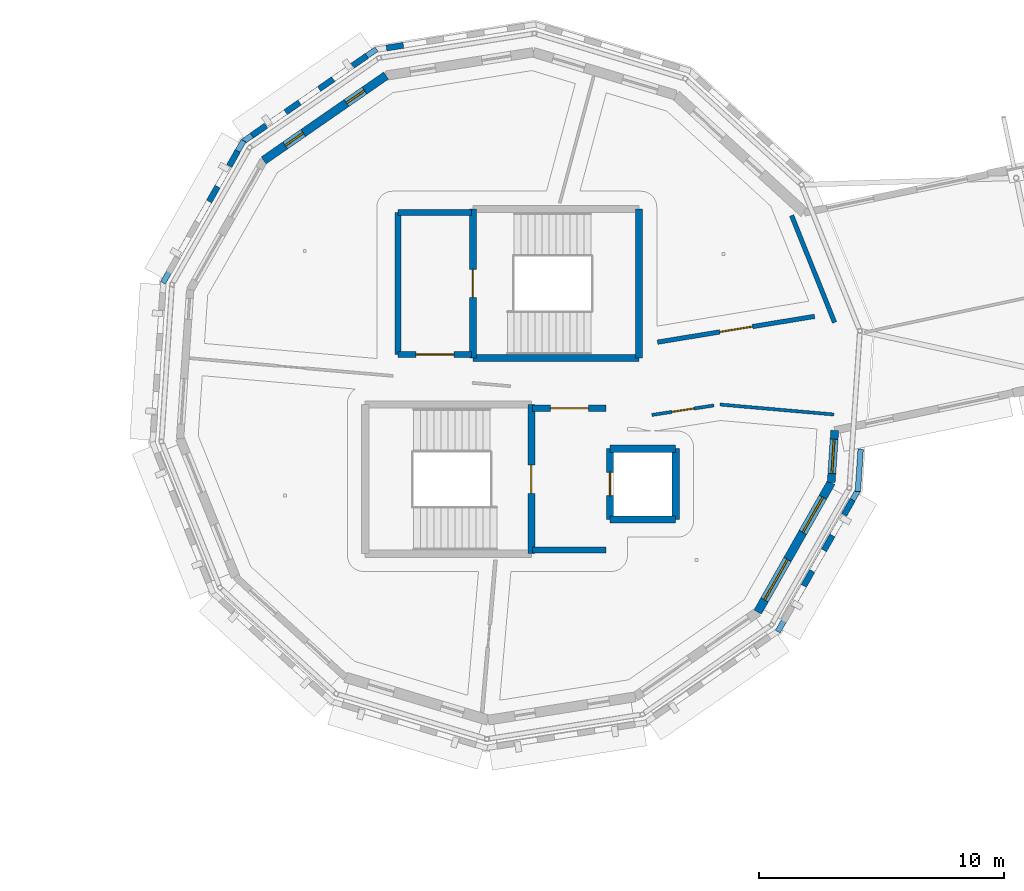
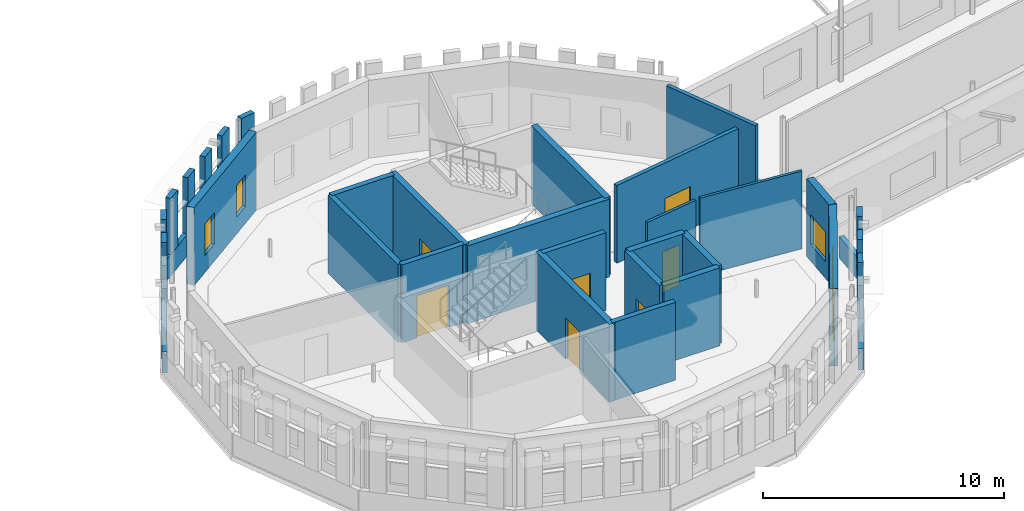
# One storey, part 42 of 68: 34 walls, 7 doors, 5 windows, 12 openings.
"""IFC4 building model written with IfcOpenShell, lengths in metres."""

from ifc_helpers import new_model, si_unit, direction, frame, frame_2d, origin, place, context, subcontext, project, spatial, rectangle, extrude, material, layer, layer_set, type_object, element, fill, save


model = new_model("IFC4")

# Units and contexts
model_context = context("Model", 3, precision=1e-05, world=origin(), true_north=direction((0.0, 1.0)))
body_context = subcontext(model_context, "Body", "Model", "MODEL_VIEW")
ifc_project = project(units=[si_unit("LENGTHUNIT", "METRE"), si_unit("AREAUNIT", "SQUARE_METRE"), si_unit("VOLUMEUNIT", "CUBIC_METRE"), si_unit("PLANEANGLEUNIT", "RADIAN"), si_unit("MASSUNIT", "GRAM", prefix="KILO")], contexts=[model_context])

# Site, building, storey
site_placement = place(None, origin())
site = spatial("IfcSite", under=ifc_project, at=site_placement, CompositionType="ELEMENT")
building_placement = place(site_placement, origin())
building = spatial("IfcBuilding", under=site, at=building_placement, Name="Wrenclough Park School", CompositionType="ELEMENT")
storey_placement = place(building_placement, frame((0.0, 0.0, 12.60009765625)))
storey = spatial("IfcBuildingStorey", under=building, at=storey_placement, Name="L03", CompositionType="ELEMENT", Elevation=12.60009765625)

# Walls
ifc_material_1 = material(Name="Perforated open-bond Staffordshire and Manchester brick screen pier", Category="masonry")
ifc_layer_1 = layer(ifc_material_1, 0.2451171875)
ifc_layer_set_1 = layer_set([ifc_layer_1], Name="Perforated open-bond Staffordshire and Manchester brick screen pier")
wall_type_1 = type_object("IfcWallType", Name="ENV-BS-PR245", PredefinedType="ELEMENTEDWALL", material=ifc_layer_set_1)
for number, where, z_axis, x_axis, name in (
    (1, (78.6142578125, 122.42919921875, 1.08984375), (0.0, 0.0, 1.0), (-0.987697931756, -0.156373896812, 0.0), "D4 L03 perforated brick screen pier 0810"),
    (2, (77.120361328125, 121.998046875, 1.08984375), (0.0, 0.0, 1.0), (-0.822004061083, -0.569481627064, 0.0), "D4 L03 perforated brick screen pier 0811"),
    (3, (75.748291015625, 121.047607421875, 1.08984375), (0.0, 0.0, 1.0), (-0.822004061083, -0.569481627064, 0.0), "D4 L03 perforated brick screen pier 0812"),
):
    element("IfcWall", number, at=place(storey_placement, frame(where, z_axis=z_axis, x_axis=x_axis)), inside=storey, type_object=wall_type_1, Name=name, PredefinedType="ELEMENTEDWALL", context=body_context, shape_type="SweptSolid", body=[
        extrude(rectangle(XDim=0.700927734375, YDim=0.2451171875, at=frame_2d((0.3505859375, 0.0))), origin(), (0.0, 0.0, 1.0), 2.85009765625),
    ])
wall_1_placement = place(storey_placement, frame((74.376708984375, 120.097412109375, 1.08984375), z_axis=(0.0, 0.0, 1.0), x_axis=(-0.821953993254, -0.569553889438, 0.0)))
element("IfcWall", 4, at=wall_1_placement, inside=storey, type_object=wall_type_1, Name="D4 L03 perforated brick screen pier 0813", PredefinedType="ELEMENTEDWALL", context=body_context, shape_type="SweptSolid", body=[
    extrude(rectangle(XDim=0.701171875, YDim=0.2451171875, at=frame_2d((0.3505859375, 0.0))), origin(), (0.0, 0.0, 1.0), 2.85009765625),
])
for number, where, z_axis, x_axis, name in (
    (5, (73.004638671875, 119.14697265625, 1.08984375), (0.0, 0.0, 1.0), (-0.822004061083, -0.569481627064, 0.0), "D4 L03 perforated brick screen pier 0814"),
    (6, (71.845947265625, 118.1103515625, 1.08984375), (0.0, 0.0, 1.0), (-0.493548557981, -0.869718242257, 0.0), "D4 L03 perforated brick screen pier 0815"),
    (7, (71.022216796875, 116.658935546875, 1.08984375), (0.0, 0.0, 1.0), (-0.49328502852, -0.869867737439, 0.0), "D4 L03 perforated brick screen pier 0816"),
    (8, (94.977783203125, 100.341064453125, 1.08984375), (0.0, 0.0, 1.0), (0.49328502852, 0.869867737439, 0.0), "D4 L03 perforated brick screen pier 0844"),
    (9, (95.80126953125, 101.792724609375, 1.08984375), (0.0, 0.0, 1.0), (0.493548557981, 0.869718242257, 0.0), "D4 L03 perforated brick screen pier 0845"),
):
    element("IfcWall", number, at=place(storey_placement, frame(where, z_axis=z_axis, x_axis=x_axis)), inside=storey, type_object=wall_type_1, Name=name, PredefinedType="ELEMENTEDWALL", context=body_context, shape_type="SweptSolid", body=[
        extrude(rectangle(XDim=0.700927734375, YDim=0.2451171875, at=frame_2d((0.3505859375, 0.0))), origin(), (0.0, 0.0, 1.0), 2.85009765625),
    ])
wall_2_placement = place(storey_placement, frame((96.625, 103.244140625, 1.08984375), z_axis=(0.0, 0.0, 1.0), x_axis=(0.49339908657, 0.869803047461, 0.0)))
element("IfcWall", 10, at=wall_2_placement, inside=storey, type_object=wall_type_1, Name="D4 L03 perforated brick screen pier 0846", PredefinedType="ELEMENTEDWALL", context=body_context, shape_type="SweptSolid", body=[
    extrude(rectangle(XDim=0.701171875, YDim=0.2451171875, at=frame_2d((0.3505859375, 0.0))), origin(), (0.0, 0.0, 1.0), 2.85009765625),
])
ifc_material_2 = material(Name="Open-bond Manchester multi-stock brick spandrel screen", Category="masonry")
ifc_layer_2 = layer(ifc_material_2, 0.22509765625)
ifc_layer_set_2 = layer_set([ifc_layer_2], Name="Open-bond Manchester multi-stock brick spandrel screen")
wall_type_2 = type_object("IfcWallType", Name="ENV-BS-SP225", PredefinedType="ELEMENTEDWALL", material=ifc_layer_set_2)
wall_3_placement = place(storey_placement, frame((77.51806640625, 122.273681640625, 0.0), z_axis=(0.0, 0.0, 1.0), x_axis=(-0.822009139105, -0.56947429725, 0.0)))
element("IfcWall", 11, at=wall_3_placement, inside=storey, type_object=wall_type_2, Name="D4 L03 open-bond brick screen spandrel 0217", PredefinedType="ELEMENTEDWALL", context=body_context, shape_type="SweptSolid", body=[
    extrude(rectangle(XDim=6.675537109375, YDim=0.22509765625, at=frame_2d((3.337890625, 0.0))), origin(), (0.0, 0.0, 1.0), 1.08984375),
])
for number, where, z_axis, x_axis, name in (
    (12, (72.084716796875, 118.53125, 0.0), (0.0, 0.0, 1.0), (-0.493497861667, -0.869747009498, 0.0), "D4 L03 open-bond brick screen spandrel 0218"),
    (13, (93.915283203125, 98.46875, 0.0), (0.0, 0.0, 1.0), (0.493497861667, 0.869747009498, 0.0), "D4 L03 open-bond brick screen spandrel 0225"),
):
    element("IfcWall", number, at=place(storey_placement, frame(where, z_axis=z_axis, x_axis=x_axis)), inside=storey, type_object=wall_type_2, Name=name, PredefinedType="ELEMENTEDWALL", context=body_context, shape_type="SweptSolid", body=[
        extrude(rectangle(XDim=6.67578125, YDim=0.22509765625, at=frame_2d((3.337890625, 0.0))), origin(), (0.0, 0.0, 1.0), 1.08984375),
    ])
wall_4_placement = place(storey_placement, frame((97.186767578125, 104.197998046875, 0.0), z_axis=(0.0, 0.0, 1.0), x_axis=(0.067258320943, 0.997735595368, 0.0)))
element("IfcWall", 14, at=wall_4_placement, inside=storey, type_object=wall_type_2, Name="D4 L03 open-bond brick screen spandrel 0226", PredefinedType="ELEMENTEDWALL", context=body_context, shape_type="SweptSolid", body=[
    extrude(rectangle(XDim=1.7314453125, YDim=0.22509765625, at=frame_2d((0.86572265625, 0.0))), origin(), (0.0, 0.0, 1.0), 1.08984375),
])

# Wall, opening, window
ifc_material_3 = material(Name="Manchester multi-stock brick and Concrete C32/40 inner leaf", Category="masonry")
ifc_layer_3 = layer(ifc_material_3, 0.324951171875)
ifc_layer_set_3 = layer_set([ifc_layer_3], Name="Manchester multi-stock brick and Concrete C32/40 inner leaf")
wall_type_3 = type_object("IfcWallType", Name="ENV-EW-325", PredefinedType="SOLIDWALL", material=ifc_layer_set_3)
wall_5_placement = place(storey_placement, frame((96.24267578125, 106.694580078125, 0.0), z_axis=(0.0, 0.0, 1.0), x_axis=(-0.067309145793, -0.997732167915, 0.0)))
wall_5 = element("IfcWall", 15, at=wall_5_placement, inside=storey, type_object=wall_type_3, Name="L03 insulated brick external wall 0265", PredefinedType="SOLIDWALL", context=body_context, shape_type="SweptSolid", body=[
    extrude(rectangle(XDim=2.1328125, YDim=0.324951171875, at=frame_2d((1.06640625, 0.0))), origin(), (0.0, 0.0, 1.0), 3.93994140625),
])
opening_1_placement = place(wall_5_placement, frame((0.366455078125, 0.0, 0.85009765625)))
opening_1 = element("IfcOpeningElement", 16, at=opening_1_placement, cuts=wall_5, Name="Opening WN-51", PredefinedType="OPENING", context=body_context, shape_type="SweptSolid", body=[
    extrude(rectangle(XDim=1.39990234375, YDim=1.5, at=frame_2d((0.699951171875, 0.75))), frame((0.0, 0.17236328125, 0.0), z_axis=(0.0, -1.0, 0.0), x_axis=(1.0, 0.0, 0.0)), (0.0, 0.0, 1.0), 0.344970703125),
])
ifc_material_4 = material(Name="Thermally broken aluminium and double-glazed low-e glass", Category="aluminium")
window_type_1 = type_object("IfcWindowType", Name="ENV-WN-51", PartitioningType="SINGLE_PANEL", PredefinedType="WINDOW", material=ifc_material_4)
window_1_placement = place(opening_1_placement, origin())
window_1 = element("IfcWindow", 17, at=window_1_placement, inside=storey, type_object=window_type_1, Name="L03 scheduled facade window 0442", OverallHeight=1.5, OverallWidth=1.39990234375, PartitioningType="SINGLE_PANEL", PredefinedType="WINDOW", context=body_context, shape_type="SweptSolid", body=[
    extrude(rectangle(XDim=1.39990234375, YDim=1.5, at=frame_2d((0.699951171875, 0.75))), frame((0.0, 0.030029296875, 0.0), z_axis=(0.0, -1.0, 0.0), x_axis=(1.0, 0.0, 0.0)), (0.0, 0.0, 1.0), 0.06005859375),
])
fill(opening_1, window_1)

# Wall, openings, windows
ifc_material_5 = material(Name="Staffordshire blue-grey brick and Concrete C35/45 inner leaf", Category="masonry")
ifc_layer_4 = layer(ifc_material_5, 0.35009765625)
ifc_layer_set_4 = layer_set([ifc_layer_4], Name="Staffordshire blue-grey brick and Concrete C35/45 inner leaf")
wall_type_4 = type_object("IfcWallType", Name="ENV-EW-350", PredefinedType="SOLIDWALL", material=ifc_layer_set_4)
wall_6_placement = place(storey_placement, frame((96.09912109375, 104.566650390625, 0.0), z_axis=(0.0, 0.0, 1.0), x_axis=(-0.49349318979, -0.869749660322, 0.0)))
wall_6 = element("IfcWall", 18, at=wall_6_placement, inside=storey, type_object=wall_type_4, Name="L03 insulated brick external wall 0266", PredefinedType="SOLIDWALL", context=body_context, shape_type="SweptSolid", body=[
    extrude(rectangle(XDim=6.0869140625, YDim=0.35009765625, at=frame_2d((3.04345703125, 0.0))), origin(), (0.0, 0.0, 1.0), 3.93994140625),
])
opening_2_placement = place(wall_6_placement, frame((0.69677734375, 0.0, 0.85009765625)))
opening_2 = element("IfcOpeningElement", 19, at=opening_2_placement, cuts=wall_6, Name="Opening WN-52", PredefinedType="OPENING", context=body_context, shape_type="SweptSolid", body=[
    extrude(rectangle(XDim=1.64990234375, YDim=1.5, at=frame_2d((0.824951171875, 0.75))), frame((0.0, 0.18505859375, 0.0), z_axis=(0.0, -1.0, 0.0), x_axis=(1.0, 0.0, 0.0)), (0.0, 0.0, 1.0), 0.3701171875),
])
opening_3_placement = place(wall_6_placement, frame((3.615234375, 0.0, 0.85009765625)))
opening_3 = element("IfcOpeningElement", 20, at=opening_3_placement, cuts=wall_6, Name="Opening WN-53", PredefinedType="OPENING", context=body_context, shape_type="SweptSolid", body=[
    extrude(rectangle(XDim=1.89990234375, YDim=1.5, at=frame_2d((0.949951171875, 0.75))), frame((0.0, 0.18505859375, 0.0), z_axis=(0.0, -1.0, 0.0), x_axis=(1.0, 0.0, 0.0)), (0.0, 0.0, 1.0), 0.3701171875),
])
window_type_2 = type_object("IfcWindowType", Name="ENV-WN-52", PartitioningType="DOUBLE_PANEL_VERTICAL", PredefinedType="WINDOW", material=ifc_material_4)
window_2_placement = place(opening_2_placement, origin())
window_2 = element("IfcWindow", 21, at=window_2_placement, inside=storey, type_object=window_type_2, Name="L03 scheduled facade window 0443", OverallHeight=1.5, OverallWidth=1.64990234375, PartitioningType="SINGLE_PANEL", PredefinedType="WINDOW", context=body_context, shape_type="SweptSolid", body=[
    extrude(rectangle(XDim=1.64990234375, YDim=1.5, at=frame_2d((0.824951171875, 0.75))), frame((0.0, 0.030029296875, 0.0), z_axis=(0.0, -1.0, 0.0), x_axis=(1.0, 0.0, 0.0)), (0.0, 0.0, 1.0), 0.06005859375),
])
fill(opening_2, window_2)
window_type_3 = type_object("IfcWindowType", Name="ENV-WN-53", PartitioningType="DOUBLE_PANEL_VERTICAL", PredefinedType="WINDOW", material=ifc_material_4)
window_3_placement = place(opening_3_placement, origin())
window_3 = element("IfcWindow", 22, at=window_3_placement, inside=storey, type_object=window_type_3, Name="L03 scheduled facade window 0444", OverallHeight=1.5, OverallWidth=1.89990234375, PartitioningType="SINGLE_PANEL", PredefinedType="WINDOW", context=body_context, shape_type="SweptSolid", body=[
    extrude(rectangle(XDim=1.89990234375, YDim=1.5, at=frame_2d((0.949951171875, 0.75))), frame((0.0, 0.030029296875, 0.0), z_axis=(0.0, -1.0, 0.0), x_axis=(1.0, 0.0, 0.0)), (0.0, 0.0, 1.0), 0.06005859375),
])
fill(opening_3, window_3)

wall_7_placement = place(storey_placement, frame((72.90478515625, 117.7275390625, 0.0), z_axis=(0.0, 0.0, 1.0), x_axis=(0.821994314634, 0.569495695075, 0.0)))
wall_7 = element("IfcWall", 23, at=wall_7_placement, inside=storey, type_object=wall_type_4, Name="L03 insulated brick external wall 0274", PredefinedType="SOLIDWALL", context=body_context, shape_type="SweptSolid", body=[
    extrude(rectangle(XDim=6.086669921875, YDim=0.35009765625, at=frame_2d((3.04345703125, 0.0))), origin(), (0.0, 0.0, 1.0), 3.93994140625),
])
opening_4_placement = place(wall_7_placement, frame((1.071533203125, 0.0, 0.85009765625)))
opening_4 = element("IfcOpeningElement", 24, at=opening_4_placement, cuts=wall_7, Name="Opening WN-13", PredefinedType="OPENING", context=body_context, shape_type="SweptSolid", body=[
    extrude(rectangle(XDim=0.89990234375, YDim=1.60009765625, at=frame_2d((0.449951171875, 0.800048828125))), frame((0.0, 0.18505859375, 0.0), z_axis=(0.0, -1.0, 0.0), x_axis=(1.0, 0.0, 0.0)), (0.0, 0.0, 1.0), 0.3701171875),
])
opening_5_placement = place(wall_7_placement, frame((4.114990234375, 0.0, 0.85009765625)))
opening_5 = element("IfcOpeningElement", 25, at=opening_5_placement, cuts=wall_7, Name="Opening WN-13", PredefinedType="OPENING", context=body_context, shape_type="SweptSolid", body=[
    extrude(rectangle(XDim=0.89990234375, YDim=1.60009765625, at=frame_2d((0.449951171875, 0.800048828125))), frame((0.0, 0.18505859375, 0.0), z_axis=(0.0, -1.0, 0.0), x_axis=(1.0, 0.0, 0.0)), (0.0, 0.0, 1.0), 0.3701171875),
])
window_type_4 = type_object("IfcWindowType", Name="ENV-WN-13", PartitioningType="SINGLE_PANEL", PredefinedType="WINDOW", material=ifc_material_4)
window_4_placement = place(opening_4_placement, origin())
window_4 = element("IfcWindow", 26, at=window_4_placement, inside=storey, type_object=window_type_4, Name="L03 scheduled facade window 0459", OverallHeight=1.60009765625, OverallWidth=0.89990234375, PartitioningType="SINGLE_PANEL", PredefinedType="WINDOW", context=body_context, shape_type="SweptSolid", body=[
    extrude(rectangle(XDim=0.89990234375, YDim=1.60009765625, at=frame_2d((0.449951171875, 0.800048828125))), frame((0.0, 0.030029296875, 0.0), z_axis=(0.0, -1.0, 0.0), x_axis=(1.0, 0.0, 0.0)), (0.0, 0.0, 1.0), 0.06005859375),
])
fill(opening_4, window_4)
window_5_placement = place(opening_5_placement, origin())
window_5 = element("IfcWindow", 27, at=window_5_placement, inside=storey, type_object=window_type_4, Name="L03 scheduled facade window 0460", OverallHeight=1.60009765625, OverallWidth=0.89990234375, PartitioningType="SINGLE_PANEL", PredefinedType="WINDOW", context=body_context, shape_type="SweptSolid", body=[
    extrude(rectangle(XDim=0.89990234375, YDim=1.60009765625, at=frame_2d((0.449951171875, 0.800048828125))), frame((0.0, 0.030029296875, 0.0), z_axis=(0.0, -1.0, 0.0), x_axis=(1.0, 0.0, 0.0)), (0.0, 0.0, 1.0), 0.06005859375),
])
fill(opening_5, window_5)

# Wall
ifc_material_6 = material(Name="Concrete C35/45", Category="concrete")
ifc_layer_5 = layer(ifc_material_6, 0.25)
ifc_layer_set_5 = layer_set([ifc_layer_5], Name="Concrete C35/45")
wall_type_5 = type_object("IfcWallType", Name="INT-CW-250", PredefinedType="SHEAR", material=ifc_layer_set_5)
wall_8_placement = place(storey_placement, frame((83.89990234375, 101.800048828125, 0.0), z_axis=(0.0, 0.0, 1.0), x_axis=(1.0, 0.0, 0.0)))
element("IfcWall", 28, at=wall_8_placement, inside=storey, type_object=wall_type_5, Name="Core C4 L03 lobby fire wall south", PredefinedType="SHEAR", context=body_context, shape_type="SweptSolid", body=[
    extrude(rectangle(XDim=3.0, YDim=0.25, at=frame_2d((1.5, 0.0))), origin(), (0.0, 0.0, 1.0), 3.949951171875),
])

# Wall, opening, door
wall_9_placement = place(storey_placement, frame((86.89990234375, 107.60009765625, 0.0), z_axis=(0.0, 0.0, 1.0), x_axis=(-1.0, 0.0, 0.0)))
wall_9 = element("IfcWall", 29, at=wall_9_placement, inside=storey, type_object=wall_type_5, Name="Core C4 L03 lobby fire wall north", PredefinedType="SHEAR", context=body_context, shape_type="SweptSolid", body=[
    extrude(rectangle(XDim=3.0, YDim=0.25, at=frame_2d((1.5, 0.0))), origin(), (0.0, 0.0, 1.0), 3.949951171875),
])
opening_6_placement = place(wall_9_placement, frame((0.72509765625, 0.0, 0.0)))
opening_6 = element("IfcOpeningElement", 30, at=opening_6_placement, cuts=wall_9, Name="Opening DLB-C4-L03", PredefinedType="OPENING", context=body_context, shape_type="SweptSolid", body=[
    extrude(rectangle(XDim=1.550048828125, YDim=2.14990234375, at=frame_2d((0.77490234375, 1.074951171875))), frame((0.0, 0.135009765625, 0.0), z_axis=(0.0, -1.0, 0.0), x_axis=(1.0, 0.0, 0.0)), (0.0, 0.0, 1.0), 0.27001953125),
])
ifc_material_7 = material(Name="Protected stair lobby double fire door assembly", Category="wood")
door_type_1 = type_object("IfcDoorType", Name="INT-DR-LB155", OperationType="NOTDEFINED", PredefinedType="DOOR", material=ifc_material_7)
door_1_placement = place(opening_6_placement, origin())
door_1 = element("IfcDoor", 31, at=door_1_placement, inside=storey, type_object=door_type_1, Name="Core C4 L03 protected lobby fire door", OperationType="DOUBLE_DOOR_SINGLE_SWING", OverallHeight=2.14990234375, OverallWidth=1.550048828125, PredefinedType="DOOR", context=body_context, shape_type="SweptSolid", body=[
    extrude(rectangle(XDim=1.550048828125, YDim=2.14990234375, at=frame_2d((0.77490234375, 1.074951171875))), frame((0.0, 0.02490234375, 0.0), z_axis=(0.0, -1.0, 0.0), x_axis=(1.0, 0.0, 0.0)), (0.0, 0.0, 1.0), 0.050048828125),
])
fill(opening_6, door_1)

wall_10_placement = place(storey_placement, frame((78.39990234375, 109.800048828125, 0.0), z_axis=(0.0, 0.0, 1.0), x_axis=(1.0, 0.0, 0.0)))
wall_10 = element("IfcWall", 32, at=wall_10_placement, inside=storey, type_object=wall_type_5, Name="Core C4B L03 lobby fire wall south", PredefinedType="SHEAR", context=body_context, shape_type="SweptSolid", body=[
    extrude(rectangle(XDim=3.0, YDim=0.25, at=frame_2d((1.5, 0.0))), origin(), (0.0, 0.0, 1.0), 3.949951171875),
])
opening_7_placement = place(wall_10_placement, frame((0.72509765625, 0.0, 0.0)))
opening_7 = element("IfcOpeningElement", 33, at=opening_7_placement, cuts=wall_10, Name="Opening DLB-C4B-L03", PredefinedType="OPENING", context=body_context, shape_type="SweptSolid", body=[
    extrude(rectangle(XDim=1.550048828125, YDim=2.14990234375, at=frame_2d((0.77490234375, 1.074951171875))), frame((0.0, 0.135009765625, 0.0), z_axis=(0.0, -1.0, 0.0), x_axis=(1.0, 0.0, 0.0)), (0.0, 0.0, 1.0), 0.27001953125),
])
door_2_placement = place(opening_7_placement, origin())
door_2 = element("IfcDoor", 34, at=door_2_placement, inside=storey, type_object=door_type_1, Name="Core C4B L03 protected lobby fire door", OperationType="DOUBLE_DOOR_SINGLE_SWING", OverallHeight=2.14990234375, OverallWidth=1.550048828125, PredefinedType="DOOR", context=body_context, shape_type="SweptSolid", body=[
    extrude(rectangle(XDim=1.550048828125, YDim=2.14990234375, at=frame_2d((0.77490234375, 1.074951171875))), frame((0.0, 0.02490234375, 0.0), z_axis=(0.0, -1.0, 0.0), x_axis=(1.0, 0.0, 0.0)), (0.0, 0.0, 1.0), 0.050048828125),
])
fill(opening_7, door_2)

# Walls
wall_11_placement = place(storey_placement, frame((81.39990234375, 115.60009765625, 0.0), z_axis=(0.0, 0.0, 1.0), x_axis=(-1.0, 0.0, 0.0)))
element("IfcWall", 35, at=wall_11_placement, inside=storey, type_object=wall_type_5, Name="Core C4B L03 lobby fire wall north", PredefinedType="SHEAR", context=body_context, shape_type="SweptSolid", body=[
    extrude(rectangle(XDim=3.0, YDim=0.25, at=frame_2d((1.5, 0.0))), origin(), (0.0, 0.0, 1.0), 3.949951171875),
])
wall_12_placement = place(storey_placement, frame((78.39990234375, 115.60009765625, 0.0), z_axis=(0.0, 0.0, 1.0), x_axis=(0.0, -1.0, 0.0)))
element("IfcWall", 36, at=wall_12_placement, inside=storey, type_object=wall_type_5, Name="Core C4B L03 lobby fire wall west", PredefinedType="SHEAR", context=body_context, shape_type="SweptSolid", body=[
    extrude(rectangle(XDim=5.800048828125, YDim=0.25, at=frame_2d((2.89990234375, 0.0))), origin(), (0.0, 0.0, 1.0), 3.949951171875),
])

# Wall, opening, door
ifc_material_8 = material(Name="Concrete C40/50", Category="concrete")
ifc_layer_6 = layer(ifc_material_8, 0.2900390625)
ifc_layer_set_6 = layer_set([ifc_layer_6], Name="Concrete C40/50")
wall_type_6 = type_object("IfcWallType", Name="INT-CW-290", PredefinedType="SHEAR", material=ifc_layer_set_6)
wall_13_placement = place(storey_placement, frame((83.844970703125, 101.655029296875, 0.0), z_axis=(0.0, 0.0, 1.0), x_axis=(0.0, 1.0, 0.0)))
wall_13 = element("IfcWall", 37, at=wall_13_placement, inside=storey, type_object=wall_type_6, Name="Core C4 L03 east shear wall", PredefinedType="SHEAR", context=body_context, shape_type="SweptSolid", body=[
    extrude(rectangle(XDim=6.090087890625, YDim=0.2900390625, at=frame_2d((3.044921875, 0.0))), origin(), (0.0, 0.0, 1.0), 3.949951171875),
])
opening_8_placement = place(wall_13_placement, frame((2.469970703125, 0.0, 0.0)))
opening_8 = element("IfcOpeningElement", 38, at=opening_8_placement, cuts=wall_13, Name="Opening DST-C4-L03", PredefinedType="OPENING", context=body_context, shape_type="SweptSolid", body=[
    extrude(rectangle(XDim=1.14990234375, YDim=2.10009765625, at=frame_2d((0.574951171875, 1.050048828125))), frame((0.0, 0.155029296875, 0.0), z_axis=(0.0, -1.0, 0.0), x_axis=(1.0, 0.0, 0.0)), (0.0, 0.0, 1.0), 0.31005859375),
])
ifc_material_9 = material(Name="Protected escape stair single fire door assembly", Category="wood")
door_type_2 = type_object("IfcDoorType", Name="INT-DR-ST115", OperationType="NOTDEFINED", PredefinedType="DOOR", material=ifc_material_9)
door_3_placement = place(opening_8_placement, origin())
door_3 = element("IfcDoor", 39, at=door_3_placement, inside=storey, type_object=door_type_2, Name="Stair ST-04 L03 fire door", OperationType="SINGLE_SWING_RIGHT", OverallHeight=2.10009765625, OverallWidth=1.14990234375, PredefinedType="DOOR", context=body_context, shape_type="SweptSolid", body=[
    extrude(rectangle(XDim=1.14990234375, YDim=2.10009765625, at=frame_2d((0.574951171875, 1.050048828125))), frame((0.0, 0.02490234375, 0.0), z_axis=(0.0, -1.0, 0.0), x_axis=(1.0, 0.0, 0.0)), (0.0, 0.0, 1.0), 0.050048828125),
])
fill(opening_8, door_3)

# Walls
wall_14_placement = place(storey_placement, frame((87.054931640625, 103.054931640625, 0.0), z_axis=(0.0, 0.0, 1.0), x_axis=(1.0, 0.0, 0.0)))
element("IfcWall", 40, at=wall_14_placement, inside=storey, type_object=wall_type_6, Name="Lift LFT-06 L03 south shaft wall", PredefinedType="SHEAR", context=body_context, shape_type="SweptSolid", body=[
    extrude(rectangle(XDim=2.690185546875, YDim=0.2900390625, at=frame_2d((1.34521484375, 0.0))), origin(), (0.0, 0.0, 1.0), 3.949951171875),
])
wall_15_placement = place(storey_placement, frame((89.7451171875, 103.054931640625, 0.0), z_axis=(0.0, 0.0, 1.0), x_axis=(0.0, 1.0, 0.0)))
element("IfcWall", 41, at=wall_15_placement, inside=storey, type_object=wall_type_6, Name="Lift LFT-06 L03 east shaft wall", PredefinedType="SHEAR", context=body_context, shape_type="SweptSolid", body=[
    extrude(rectangle(XDim=2.89013671875, YDim=0.2900390625, at=frame_2d((1.445068359375, 0.0))), origin(), (0.0, 0.0, 1.0), 3.949951171875),
])
wall_16_placement = place(storey_placement, frame((89.7451171875, 105.945068359375, 0.0), z_axis=(0.0, 0.0, 1.0), x_axis=(-1.0, 0.0, 0.0)))
element("IfcWall", 42, at=wall_16_placement, inside=storey, type_object=wall_type_6, Name="Lift LFT-06 L03 north shaft wall", PredefinedType="SHEAR", context=body_context, shape_type="SweptSolid", body=[
    extrude(rectangle(XDim=2.690185546875, YDim=0.2900390625, at=frame_2d((1.34521484375, 0.0))), origin(), (0.0, 0.0, 1.0), 3.949951171875),
])

# Wall, opening, door
wall_17_placement = place(storey_placement, frame((87.054931640625, 105.945068359375, 0.0), z_axis=(0.0, 0.0, 1.0), x_axis=(0.0, -1.0, 0.0)))
wall_17 = element("IfcWall", 43, at=wall_17_placement, inside=storey, type_object=wall_type_6, Name="Lift LFT-06 L03 west shaft wall", PredefinedType="SHEAR", context=body_context, shape_type="SweptSolid", body=[
    extrude(rectangle(XDim=2.89013671875, YDim=0.2900390625, at=frame_2d((1.445068359375, 0.0))), origin(), (0.0, 0.0, 1.0), 3.949951171875),
])
opening_9_placement = place(wall_17_placement, frame((0.969970703125, 0.0, 0.0)))
opening_9 = element("IfcOpeningElement", 44, at=opening_9_placement, cuts=wall_17, Name="Opening LD-06-L03", PredefinedType="OPENING", context=body_context, shape_type="SweptSolid", body=[
    extrude(rectangle(XDim=0.949951171875, YDim=2.10009765625, at=frame_2d((0.47509765625, 1.050048828125))), frame((0.0, 0.155029296875, 0.0), z_axis=(0.0, -1.0, 0.0), x_axis=(1.0, 0.0, 0.0)), (0.0, 0.0, 1.0), 0.31005859375),
])
ifc_material_10 = material(Name="Brushed stainless steel", Category="steel")
door_type_3 = type_object("IfcDoorType", Name="INT-DR-LD095", OperationType="NOTDEFINED", PredefinedType="DOOR", material=ifc_material_10)
door_4_placement = place(opening_9_placement, frame((0.949951171875, 0.0, 0.0), z_axis=(0.0, 0.0, 1.0), x_axis=(-1.0, 0.0, 0.0)))
door_4 = element("IfcDoor", 45, at=door_4_placement, inside=storey, type_object=door_type_3, Name="Lift LFT-06 L03 sliding landing door", OperationType="SLIDING_TO_LEFT", OverallHeight=2.10009765625, OverallWidth=0.949951171875, PredefinedType="DOOR", context=body_context, shape_type="SweptSolid", body=[
    extrude(rectangle(XDim=0.949951171875, YDim=2.10009765625, at=frame_2d((0.47509765625, 1.050048828125))), frame((0.0, 0.02490234375, 0.0), z_axis=(0.0, -1.0, 0.0), x_axis=(1.0, 0.0, 0.0)), (0.0, 0.0, 1.0), 0.050048828125),
])
fill(opening_9, door_4)

# Walls
wall_18_placement = place(storey_placement, frame((81.455078125, 109.655029296875, 0.0), z_axis=(0.0, 0.0, 1.0), x_axis=(1.0, 0.0, 0.0)))
element("IfcWall", 46, at=wall_18_placement, inside=storey, type_object=wall_type_6, Name="Core C4B L03 south shear wall", PredefinedType="SHEAR", context=body_context, shape_type="SweptSolid", body=[
    extrude(rectangle(XDim=6.7900390625, YDim=0.2900390625, at=frame_2d((3.39501953125, 0.0))), origin(), (0.0, 0.0, 1.0), 3.949951171875),
])
wall_19_placement = place(storey_placement, frame((88.2451171875, 109.655029296875, 0.0), z_axis=(0.0, 0.0, 1.0), x_axis=(0.0, 1.0, 0.0)))
element("IfcWall", 47, at=wall_19_placement, inside=storey, type_object=wall_type_6, Name="Core C4B L03 east shear wall", PredefinedType="SHEAR", context=body_context, shape_type="SweptSolid", body=[
    extrude(rectangle(XDim=6.090087890625, YDim=0.2900390625, at=frame_2d((3.044921875, 0.0))), origin(), (0.0, 0.0, 1.0), 3.949951171875),
])

# Wall, opening, door
wall_20_placement = place(storey_placement, frame((81.455078125, 115.7451171875, 0.0), z_axis=(0.0, 0.0, 1.0), x_axis=(0.0, -1.0, 0.0)))
wall_20 = element("IfcWall", 48, at=wall_20_placement, inside=storey, type_object=wall_type_6, Name="Core C4B L03 west shear wall", PredefinedType="SHEAR", context=body_context, shape_type="SweptSolid", body=[
    extrude(rectangle(XDim=6.090087890625, YDim=0.2900390625, at=frame_2d((3.044921875, 0.0))), origin(), (0.0, 0.0, 1.0), 3.949951171875),
])
opening_10_placement = place(wall_20_placement, frame((2.469970703125, 0.0, 0.0)))
opening_10 = element("IfcOpeningElement", 49, at=opening_10_placement, cuts=wall_20, Name="Opening DST-C4B-L03", PredefinedType="OPENING", context=body_context, shape_type="SweptSolid", body=[
    extrude(rectangle(XDim=1.14990234375, YDim=2.10009765625, at=frame_2d((0.574951171875, 1.050048828125))), frame((0.0, 0.155029296875, 0.0), z_axis=(0.0, -1.0, 0.0), x_axis=(1.0, 0.0, 0.0)), (0.0, 0.0, 1.0), 0.31005859375),
])
door_5_placement = place(opening_10_placement, origin())
door_5 = element("IfcDoor", 50, at=door_5_placement, inside=storey, type_object=door_type_2, Name="Stair ST-08 L03 fire door", OperationType="SINGLE_SWING_RIGHT", OverallHeight=2.10009765625, OverallWidth=1.14990234375, PredefinedType="DOOR", context=body_context, shape_type="SweptSolid", body=[
    extrude(rectangle(XDim=1.14990234375, YDim=2.10009765625, at=frame_2d((0.574951171875, 1.050048828125))), frame((0.0, 0.02490234375, 0.0), z_axis=(0.0, -1.0, 0.0), x_axis=(1.0, 0.0, 0.0)), (0.0, 0.0, 1.0), 0.050048828125),
])
fill(opening_10, door_5)

# Wall
ifc_material_11 = material(Name="Standard fire-rated room partition", Category="gypsum")
ifc_layer_7 = layer(ifc_material_11, 0.1298828125)
ifc_layer_set_7 = layer_set([ifc_layer_7], Name="Standard fire-rated room partition")
wall_type_7 = type_object("IfcWallType", Name="INT-PW-130", PredefinedType="PARTITIONING", material=ifc_layer_set_7)
wall_21_placement = place(storey_placement, frame((96.206298828125, 107.344482421875, 0.0), z_axis=(0.0, 0.0, 1.0), x_axis=(-0.996193377134, 0.087170840051, 0.0)))
element("IfcWall", 51, at=wall_21_placement, inside=storey, type_object=wall_type_7, Name="L03 internal partition 0476", PredefinedType="PARTITIONING", context=body_context, shape_type="SweptSolid", body=[
    extrude(rectangle(XDim=4.671630859375, YDim=0.1298828125, at=frame_2d((2.3359375, 0.0))), origin(), (0.0, 0.0, 1.0), 3.93994140625),
])

# Wall, opening, door
wall_22_placement = place(storey_placement, frame((91.305908203125, 107.7138671875, 0.0), z_axis=(0.0, 0.0, 1.0), x_axis=(-0.988481340726, -0.151342786539, 0.0)))
wall_22 = element("IfcWall", 52, at=wall_22_placement, inside=storey, type_object=wall_type_7, Name="L03 internal partition 0477", PredefinedType="PARTITIONING", context=body_context, shape_type="SweptSolid", body=[
    extrude(rectangle(XDim=2.568115234375, YDim=0.1298828125, at=frame_2d((1.2841796875, 0.0))), origin(), (0.0, 0.0, 1.0), 3.93994140625),
])
opening_11_placement = place(wall_22_placement, frame((0.833984375, 0.0, 0.0)))
opening_11 = element("IfcOpeningElement", 53, at=opening_11_placement, cuts=wall_22, Name="Opening DR-L03-097", PredefinedType="OPENING", context=body_context, shape_type="SweptSolid", body=[
    extrude(rectangle(XDim=0.89990234375, YDim=2.050048828125, at=frame_2d((0.449951171875, 1.02490234375))), frame((0.0, 0.074951171875, 0.0), z_axis=(0.0, -1.0, 0.0), x_axis=(1.0, 0.0, 0.0)), (0.0, 0.0, 1.0), 0.14990234375),
])
ifc_material_12 = material(Name="Staff office fire-rated timber door assembly", Category="wood")
door_type_4 = type_object("IfcDoorType", Name="INT-DR-OFF090", OperationType="NOTDEFINED", PredefinedType="DOOR", material=ifc_material_12)
door_6_placement = place(opening_11_placement, origin())
door_6 = element("IfcDoor", 54, at=door_6_placement, inside=storey, type_object=door_type_4, Name="Heads of Year Staff Room door DR-L03-097", OperationType="SINGLE_SWING_RIGHT", OverallHeight=2.050048828125, OverallWidth=0.89990234375, PredefinedType="DOOR", context=body_context, shape_type="SweptSolid", body=[
    extrude(rectangle(XDim=0.89990234375, YDim=2.050048828125, at=frame_2d((0.449951171875, 1.02490234375))), frame((0.0, 0.02490234375, 0.0), z_axis=(0.0, -1.0, 0.0), x_axis=(1.0, 0.0, 0.0)), (0.0, 0.0, 1.0), 0.050048828125),
])
fill(opening_11, door_6)

ifc_material_13 = material(Name="Laboratory fire and acoustic partition", Category="gypsum")
ifc_layer_8 = layer(ifc_material_13, 0.18505859375)
ifc_layer_set_8 = layer_set([ifc_layer_8], Name="Laboratory fire and acoustic partition")
wall_type_8 = type_object("IfcWallType", Name="INT-PW-185", PredefinedType="PARTITIONING", material=ifc_layer_set_8)
wall_23_placement = place(storey_placement, frame((89.001708984375, 110.30078125, 0.0), z_axis=(0.0, 0.0, 1.0), x_axis=(0.986819802975, 0.161822978763, 0.0)))
wall_23 = element("IfcWall", 55, at=wall_23_placement, inside=storey, type_object=wall_type_8, Name="L03 internal partition 0478", PredefinedType="PARTITIONING", context=body_context, shape_type="SweptSolid", body=[
    extrude(rectangle(XDim=6.50244140625, YDim=0.18505859375, at=frame_2d((3.251220703125, 0.0))), origin(), (0.0, 0.0, 1.0), 3.93994140625),
])
opening_12_placement = place(wall_23_placement, frame((2.5712890625, 0.0, 0.0)))
opening_12 = element("IfcOpeningElement", 56, at=opening_12_placement, cuts=wall_23, Name="Opening DR-L03-098", PredefinedType="OPENING", context=body_context, shape_type="SweptSolid", body=[
    extrude(rectangle(XDim=1.360107421875, YDim=2.139892578125, at=frame_2d((0.68017578125, 1.06982421875))), frame((0.0, 0.1025390625, 0.0), z_axis=(0.0, -1.0, 0.0), x_axis=(1.0, 0.0, 0.0)), (0.0, 0.0, 1.0), 0.205078125),
])
ifc_material_14 = material(Name="Senior science laboratory leaf-and-a-half door assembly", Category="wood")
door_type_5 = type_object("IfcDoorType", Name="INT-DR-LAB136", OperationType="NOTDEFINED", PredefinedType="DOOR", material=ifc_material_14)
door_7_placement = place(opening_12_placement, origin())
door_7 = element("IfcDoor", 57, at=door_7_placement, inside=storey, type_object=door_type_5, Name="Earth Science Laboratory door DR-L03-098", OperationType="SINGLE_SWING_LEFT", OverallHeight=2.139892578125, OverallWidth=1.360107421875, PredefinedType="DOOR", context=body_context, shape_type="SweptSolid", body=[
    extrude(rectangle(XDim=1.360107421875, YDim=2.139892578125, at=frame_2d((0.68017578125, 1.06982421875))), frame((0.0, 0.02490234375, 0.0), z_axis=(0.0, -1.0, 0.0), x_axis=(1.0, 0.0, 0.0)), (0.0, 0.0, 1.0), 0.050048828125),
])
fill(opening_12, door_7)

# Wall
wall_24_placement = place(storey_placement, frame((96.235107421875, 111.1064453125, 0.0), z_axis=(0.0, 0.0, 1.0), x_axis=(-0.37231147683, 0.928107840835, 0.0)))
element("IfcWall", 58, at=wall_24_placement, inside=storey, type_object=wall_type_8, Name="L03 internal partition 0479", PredefinedType="PARTITIONING", context=body_context, shape_type="SweptSolid", body=[
    extrude(rectangle(XDim=4.70751953125, YDim=0.18505859375, at=frame_2d((2.353759765625, 0.0))), origin(), (0.0, 0.0, 1.0), 3.93994140625),
])

save(model, "model.ifc")
